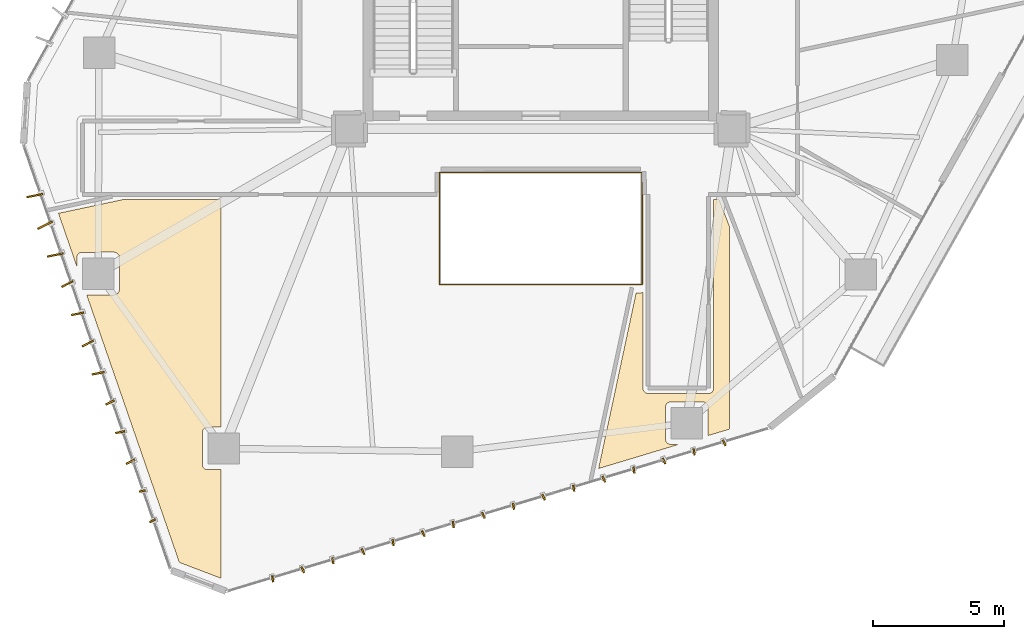
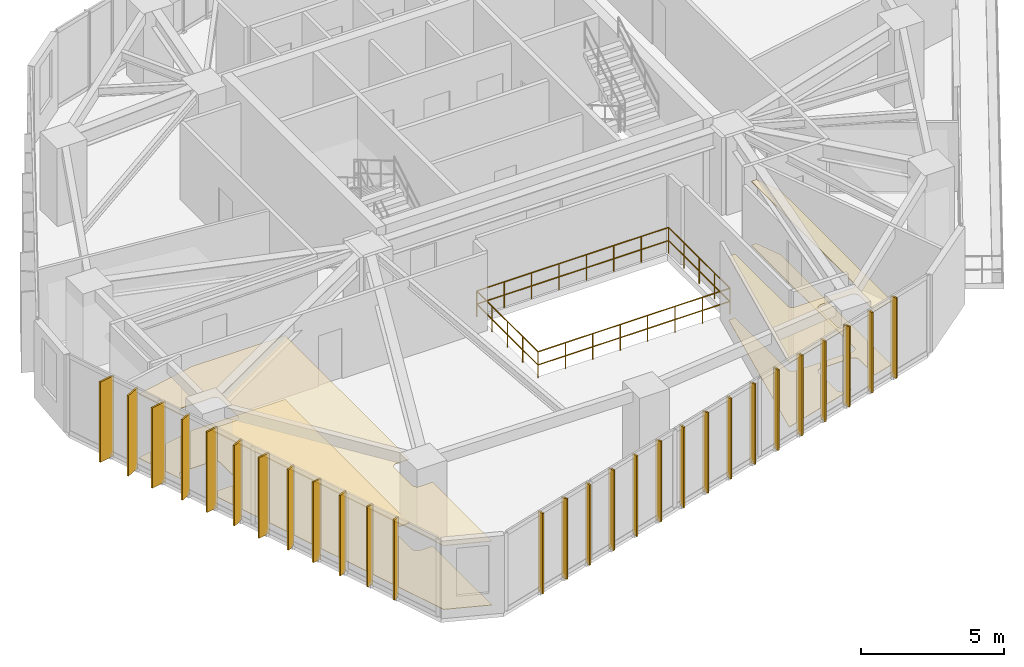
# One storey, part 19 of 21: 28 shading devices, 4 coverings, 4 railings.
"""IFC4 building model written with IfcOpenShell, lengths in metres."""

from ifc_helpers import new_model, si_unit, direction, frame, origin, origin_2d, place, context, subcontext, project, spatial, polyline, rectangle, circle, outline, extrude, source, transform, mapped, material, layer, layer_set, type_object, type_shapes, element, save


model = new_model("IFC4")

# Units and contexts
model_context = context("Model", 3, precision=1e-05, world=origin(), true_north=direction((0.0, 1.0)))
body_context = subcontext(model_context, "Body", "Model", "MODEL_VIEW")
ifc_project = project(units=[si_unit("LENGTHUNIT", "METRE"), si_unit("AREAUNIT", "SQUARE_METRE"), si_unit("VOLUMEUNIT", "CUBIC_METRE"), si_unit("PLANEANGLEUNIT", "RADIAN"), si_unit("MASSUNIT", "GRAM", prefix="KILO")], contexts=[model_context])

# Site, building, storey
site_placement = place(None, origin())
site = spatial("IfcSite", under=ifc_project, at=site_placement, CompositionType="ELEMENT")
building_placement = place(site_placement, origin())
building = spatial("IfcBuilding", under=site, at=building_placement, Name="Talar Marvaseh", CompositionType="ELEMENT")
storey_placement = place(building_placement, frame((0.0, 0.0, 139.800048828125)))
storey = spatial("IfcBuildingStorey", under=building, at=storey_placement, Name="L36", CompositionType="ELEMENT", Elevation=139.800048828125)

# Railings
ifc_material_1 = material(Name="Tempered Clear Glass", Category="glass")
railing_type = type_object("IfcRailingType", Name="Interior Atrium Edge Balustrade 1120", PredefinedType="BALUSTRADE", material=ifc_material_1)
railing_1_placement = place(storey_placement, frame((22.1298828125, 19.561279296875, 0.0)))
element("IfcRailing", 1, at=railing_1_placement, inside=storey, type_object=railing_type, Name="L36 Internal Daylight Atrium Balustrade 1", PredefinedType="BALUSTRADE", context=body_context, shape_type="SweptSolid", body=[
    extrude(circle(Radius=0.02392578125, at=origin_2d()), frame((0.0, 0.0, 1.09619140625), z_axis=(1.0, 0.0, 0.0), x_axis=(0.0, 1.0, 0.0)), (0.0, 0.0, 1.0), 7.740234375),
    extrude(circle(Radius=0.02392578125, at=origin_2d()), frame((0.0, 0.0, 0.5361328125), z_axis=(1.0, 0.0, 0.0), x_axis=(0.0, 1.0, 0.0)), (0.0, 0.0, 1.0), 7.740234375),
    extrude(circle(Radius=0.02099609375, at=origin_2d()), origin(), (0.0, 0.0, 1.0), 1.072021484375),
    extrude(circle(Radius=0.02099609375, at=origin_2d()), frame((1.105712890625, 0.0, 0.0)), (0.0, 0.0, 1.0), 1.072021484375),
    extrude(circle(Radius=0.02099609375, at=origin_2d()), frame((2.21142578125, 0.0, 0.0)), (0.0, 0.0, 1.0), 1.072021484375),
    extrude(circle(Radius=0.02099609375, at=origin_2d()), frame((3.317138671875, 0.0, 0.0)), (0.0, 0.0, 1.0), 1.072021484375),
    extrude(circle(Radius=0.02099609375, at=origin_2d()), frame((4.423095703125, 0.0, 0.0)), (0.0, 0.0, 1.0), 1.072021484375),
    extrude(circle(Radius=0.02099609375, at=origin_2d()), frame((5.52880859375, 0.0, 0.0)), (0.0, 0.0, 1.0), 1.072021484375),
    extrude(circle(Radius=0.02099609375, at=origin_2d()), frame((6.634521484375, 0.0, 0.0)), (0.0, 0.0, 1.0), 1.072021484375),
    extrude(circle(Radius=0.02099609375, at=origin_2d()), frame((7.740234375, 0.0, 0.0)), (0.0, 0.0, 1.0), 1.072021484375),
])
railing_2_placement = place(storey_placement, frame((29.8701171875, 19.561279296875, 0.0)))
element("IfcRailing", 2, at=railing_2_placement, inside=storey, type_object=railing_type, Name="L36 Internal Daylight Atrium Balustrade 2", PredefinedType="BALUSTRADE", context=body_context, shape_type="SweptSolid", body=[
    extrude(circle(Radius=0.02392578125, at=origin_2d()), frame((0.0, 0.0, 1.09619140625), z_axis=(0.0, 1.0, 0.0), x_axis=(-1.0, 0.0, 0.0)), (0.0, 0.0, 1.0), 4.27734375),
    extrude(circle(Radius=0.02392578125, at=origin_2d()), frame((0.0, 0.0, 0.5361328125), z_axis=(0.0, 1.0, 0.0), x_axis=(-1.0, 0.0, 0.0)), (0.0, 0.0, 1.0), 4.27734375),
    extrude(circle(Radius=0.02099609375, at=origin_2d()), origin(), (0.0, 0.0, 1.0), 1.072021484375),
    extrude(circle(Radius=0.02099609375, at=origin_2d()), frame((0.0, 1.0693359375, 0.0)), (0.0, 0.0, 1.0), 1.072021484375),
    extrude(circle(Radius=0.02099609375, at=origin_2d()), frame((0.0, 2.138671875, 0.0)), (0.0, 0.0, 1.0), 1.072021484375),
    extrude(circle(Radius=0.02099609375, at=origin_2d()), frame((0.0, 3.2080078125, 0.0)), (0.0, 0.0, 1.0), 1.072021484375),
    extrude(circle(Radius=0.02099609375, at=origin_2d()), frame((0.0, 4.27734375, 0.0)), (0.0, 0.0, 1.0), 1.072021484375),
])
railing_3_placement = place(storey_placement, frame((29.8701171875, 23.838623046875, 0.0)))
element("IfcRailing", 3, at=railing_3_placement, inside=storey, type_object=railing_type, Name="L36 Internal Daylight Atrium Balustrade 3", PredefinedType="BALUSTRADE", context=body_context, shape_type="SweptSolid", body=[
    extrude(circle(Radius=0.02392578125, at=origin_2d()), frame((0.0, 0.0, 1.09619140625), z_axis=(-1.0, 0.0, 0.0), x_axis=(0.0, -1.0, 0.0)), (0.0, 0.0, 1.0), 7.740234375),
    extrude(circle(Radius=0.02392578125, at=origin_2d()), frame((0.0, 0.0, 0.5361328125), z_axis=(-1.0, 0.0, 0.0), x_axis=(0.0, -1.0, 0.0)), (0.0, 0.0, 1.0), 7.740234375),
    extrude(circle(Radius=0.02099609375, at=origin_2d()), origin(), (0.0, 0.0, 1.0), 1.072021484375),
    extrude(circle(Radius=0.02099609375, at=origin_2d()), frame((-1.105712890625, 0.0, 0.0)), (0.0, 0.0, 1.0), 1.072021484375),
    extrude(circle(Radius=0.02099609375, at=origin_2d()), frame((-2.21142578125, 0.0, 0.0)), (0.0, 0.0, 1.0), 1.072021484375),
    extrude(circle(Radius=0.02099609375, at=origin_2d()), frame((-3.317138671875, 0.0, 0.0)), (0.0, 0.0, 1.0), 1.072021484375),
    extrude(circle(Radius=0.02099609375, at=origin_2d()), frame((-4.423095703125, 0.0, 0.0)), (0.0, 0.0, 1.0), 1.072021484375),
    extrude(circle(Radius=0.02099609375, at=origin_2d()), frame((-5.52880859375, 0.0, 0.0)), (0.0, 0.0, 1.0), 1.072021484375),
    extrude(circle(Radius=0.02099609375, at=origin_2d()), frame((-6.634521484375, 0.0, 0.0)), (0.0, 0.0, 1.0), 1.072021484375),
    extrude(circle(Radius=0.02099609375, at=origin_2d()), frame((-7.740234375, 0.0, 0.0)), (0.0, 0.0, 1.0), 1.072021484375),
])
railing_4_placement = place(storey_placement, frame((22.1298828125, 23.838623046875, 0.0)))
element("IfcRailing", 4, at=railing_4_placement, inside=storey, type_object=railing_type, Name="L36 Internal Daylight Atrium Balustrade 4", PredefinedType="BALUSTRADE", context=body_context, shape_type="SweptSolid", body=[
    extrude(circle(Radius=0.02392578125, at=origin_2d()), frame((0.0, 0.0, 1.09619140625), z_axis=(0.0, -1.0, 0.0), x_axis=(1.0, 0.0, 0.0)), (0.0, 0.0, 1.0), 4.27734375),
    extrude(circle(Radius=0.02392578125, at=origin_2d()), frame((0.0, 0.0, 0.5361328125), z_axis=(0.0, -1.0, 0.0), x_axis=(1.0, 0.0, 0.0)), (0.0, 0.0, 1.0), 4.27734375),
    extrude(circle(Radius=0.02099609375, at=origin_2d()), origin(), (0.0, 0.0, 1.0), 1.072021484375),
    extrude(circle(Radius=0.02099609375, at=origin_2d()), frame((0.0, -1.0693359375, 0.0)), (0.0, 0.0, 1.0), 1.072021484375),
    extrude(circle(Radius=0.02099609375, at=origin_2d()), frame((0.0, -2.138671875, 0.0)), (0.0, 0.0, 1.0), 1.072021484375),
    extrude(circle(Radius=0.02099609375, at=origin_2d()), frame((0.0, -3.2080078125, 0.0)), (0.0, 0.0, 1.0), 1.072021484375),
    extrude(circle(Radius=0.02099609375, at=origin_2d()), frame((0.0, -4.27734375, 0.0)), (0.0, 0.0, 1.0), 1.072021484375),
])

# Coverings
ifc_material_2 = material(Name="Mineral Fibre Acoustic Ceiling")
ifc_layer_1 = layer(ifc_material_2, 0.02490234375)
ifc_layer_set_1 = layer_set([ifc_layer_1], Name="Mineral Fibre Acoustic Ceiling")
covering_type_1 = type_object("IfcCoveringType", Name="Perforated Mineral Fibre Acoustic Suspended Ceiling", PredefinedType="CEILING", material=ifc_layer_set_1)
covering_1_placement = place(storey_placement, frame((0.0, 0.0, 2.719970703125)))
element("IfcCovering", 5, at=covering_1_placement, inside=storey, type_object=covering_type_1, Name="L36 Rare Books Archive Room Acoustic Ceiling", PredefinedType="CEILING", context=body_context, shape_type="SweptSolid", body=[
    extrude(outline(polyline([(9.731201171875, 19.16748046875), (9.75048828125, 19.170166015625), (9.76953125, 19.175048828125), (9.7880859375, 19.181640625), (9.8056640625, 19.18994140625), (9.822509765625, 19.199951171875), (9.838134765625, 19.211669921875), (9.852783203125, 19.224609375), (9.865966796875, 19.2392578125), (9.877685546875, 19.2548828125), (9.8876953125, 19.271728515625), (9.896240234375, 19.289306640625), (9.90283203125, 19.307861328125), (9.90771484375, 19.326904296875), (9.91064453125, 19.34619140625), (9.91162109375, 19.36572265625), (9.916015625, 20.577880859375), (9.9150390625, 20.596435546875), (9.91259765625, 20.61474609375), (9.908203125, 20.633056640625), (9.90234375, 20.650634765625), (9.89501953125, 20.667724609375), (9.885986328125, 20.683837890625), (9.875244140625, 20.69921875), (9.86328125, 20.713623046875), (9.85009765625, 20.726806640625), (9.835205078125, 20.740234375), (9.821044921875, 20.751953125), (9.8056640625, 20.762451171875), (9.78955078125, 20.771240234375), (9.772705078125, 20.77880859375), (9.755126953125, 20.78466796875), (9.737060546875, 20.788818359375), (9.71875, 20.791259765625), (9.7001953125, 20.7919921875), (8.48974609375, 20.78759765625), (8.47021484375, 20.78662109375), (8.45068359375, 20.78369140625), (8.431884765625, 20.77880859375), (8.413330078125, 20.772216796875), (8.395751953125, 20.763671875), (8.37890625, 20.753662109375), (8.36328125, 20.741943359375), (8.3486328125, 20.728759765625), (8.335693359375, 20.714111328125), (8.323974609375, 20.698486328125), (8.31396484375, 20.681640625), (8.3056640625, 20.6640625), (8.299072265625, 20.6455078125), (8.294189453125, 20.62646484375), (8.29150390625, 20.607177734375), (8.290283203125, 20.587646484375), (8.290283203125, 20.248046875), (7.588134765625, 22.276611328125), (10.05029296875, 22.800048828125), (13.800048828125, 22.800048828125), (13.800048828125, 14.111572265625), (13.27978515625, 14.109619140625), (13.260009765625, 14.108642578125), (13.24072265625, 14.105712890625), (13.2216796875, 14.100830078125), (13.203369140625, 14.09423828125), (13.185791015625, 14.085693359375), (13.1689453125, 14.07568359375), (13.1533203125, 14.06396484375), (13.138671875, 14.05078125), (13.12548828125, 14.0361328125), (13.114013671875, 14.0205078125), (13.10400390625, 14.003662109375), (13.095703125, 13.986083984375), (13.089111328125, 13.967529296875), (13.084228515625, 13.948486328125), (13.081298828125, 13.92919921875), (13.080322265625, 13.90966796875), (13.080322265625, 12.6884765625), (13.081298828125, 12.668701171875), (13.084228515625, 12.6494140625), (13.089111328125, 12.63037109375), (13.095703125, 12.61181640625), (13.10400390625, 12.593994140625), (13.114013671875, 12.577392578125), (13.125732421875, 12.5615234375), (13.138916015625, 12.547119140625), (13.153564453125, 12.53369140625), (13.169189453125, 12.522216796875), (13.18603515625, 12.511962890625), (13.203857421875, 12.503662109375), (13.222412109375, 12.4970703125), (13.241455078125, 12.4921875), (13.2607421875, 12.489501953125), (13.280517578125, 12.48828125), (13.800048828125, 12.48828125), (13.800048828125, 8.34326171875), (12.201416015625, 8.951416015625), (8.664794921875, 19.16650390625), (9.711669921875, 19.16650390625), (9.731201171875, 19.16748046875)])), origin(), (0.0, 0.0, 1.0), 0.02490234375),
])
covering_2_placement = place(storey_placement, frame((0.0, 0.0, 2.719970703125)))
element("IfcCovering", 6, at=covering_2_placement, inside=storey, type_object=covering_type_1, Name="L36 Archival Research Office Acoustic Ceiling", PredefinedType="CEILING", context=body_context, shape_type="SweptSolid", body=[
    extrude(outline(polyline([(29.800048828125, 19.239990234375), (29.814697265625, 19.240478515625), (29.829345703125, 19.2421875), (29.875732421875, 19.2490234375), (29.89501953125, 19.2529296875), (29.89990234375, 19.25439453125), (29.89990234375, 15.60009765625), (29.90087890625, 15.580322265625), (29.90380859375, 15.56103515625), (29.90869140625, 15.5419921875), (29.915283203125, 15.5234375), (29.923583984375, 15.505615234375), (29.93359375, 15.489013671875), (29.9453125, 15.47314453125), (29.95849609375, 15.45849609375), (29.97314453125, 15.4453125), (29.989013671875, 15.43359375), (30.005615234375, 15.423583984375), (30.0234375, 15.415283203125), (30.0419921875, 15.40869140625), (30.06103515625, 15.40380859375), (30.080322265625, 15.40087890625), (30.10009765625, 15.39990234375), (32.39990234375, 15.39990234375), (32.419677734375, 15.40087890625), (32.43896484375, 15.40380859375), (32.4580078125, 15.40869140625), (32.4765625, 15.415283203125), (32.494384765625, 15.423583984375), (32.510986328125, 15.43359375), (32.52685546875, 15.4453125), (32.54150390625, 15.45849609375), (32.5546875, 15.47314453125), (32.56640625, 15.489013671875), (32.576416015625, 15.505615234375), (32.584716796875, 15.5234375), (32.59130859375, 15.5419921875), (32.59619140625, 15.56103515625), (32.59912109375, 15.580322265625), (32.60009765625, 15.60009765625), (32.60009765625, 22.800048828125), (32.8046875, 22.800048828125), (33.199951171875, 21.77880859375), (33.199951171875, 14.03759765625), (32.381103515625, 13.791015625), (32.385009765625, 14.868896484375), (32.384033203125, 14.887451171875), (32.381591796875, 14.90576171875), (32.377197265625, 14.924072265625), (32.371337890625, 14.941650390625), (32.364013671875, 14.958740234375), (32.35498046875, 14.974853515625), (32.34423828125, 14.990234375), (32.33251953125, 15.004638671875), (32.319091796875, 15.017578125), (32.30419921875, 15.03125), (32.2900390625, 15.04296875), (32.274658203125, 15.053466796875), (32.258544921875, 15.062255859375), (32.24169921875, 15.069580078125), (32.22412109375, 15.07568359375), (32.2060546875, 15.07958984375), (32.187744140625, 15.082275390625), (32.169189453125, 15.0830078125), (30.958740234375, 15.07861328125), (30.939208984375, 15.07763671875), (30.919921875, 15.07470703125), (30.90087890625, 15.06982421875), (30.88232421875, 15.063232421875), (30.86474609375, 15.0546875), (30.847900390625, 15.044677734375), (30.832275390625, 15.032958984375), (30.817626953125, 15.019775390625), (30.8046875, 15.005126953125), (30.79296875, 14.989501953125), (30.782958984375, 14.97265625), (30.774658203125, 14.955078125), (30.76806640625, 14.9365234375), (30.76318359375, 14.91748046875), (30.760498046875, 14.898193359375), (30.759521484375, 14.878662109375), (30.759521484375, 13.657470703125), (30.760498046875, 13.6376953125), (30.76318359375, 13.618408203125), (30.76806640625, 13.599365234375), (30.774658203125, 13.580810546875), (30.782958984375, 13.56298828125), (30.793212890625, 13.54638671875), (30.8046875, 13.530517578125), (30.818115234375, 13.51611328125), (30.83251953125, 13.502685546875), (30.848388671875, 13.4912109375), (30.864990234375, 13.48095703125), (30.8828125, 13.47265625), (30.9013671875, 13.466064453125), (30.92041015625, 13.461181640625), (30.939697265625, 13.45849609375), (30.95947265625, 13.45751953125), (31.273193359375, 13.45751953125), (28.205810546875, 12.53369140625), (29.63916015625, 19.239990234375), (29.800048828125, 19.239990234375)])), origin(), (0.0, 0.0, 1.0), 0.02490234375),
])
ifc_material_3 = material(Name="Porcelain Stoneware Tile", Category="masonry")
ifc_layer_2 = layer(ifc_material_3, 0.02001953125)
ifc_layer_set_2 = layer_set([ifc_layer_2], Name="Porcelain Stoneware Tile")
covering_type_2 = type_object("IfcCoveringType", Name="Polished Porcelain Stoneware Gallery Flooring", PredefinedType="FLOORING", material=ifc_layer_set_2)
covering_3_placement = place(storey_placement, origin())
element("IfcCovering", 7, at=covering_3_placement, inside=storey, type_object=covering_type_2, Name="L36 Rare Books Archive Room Flooring", PredefinedType="FLOORING", context=body_context, shape_type="SweptSolid", body=[
    extrude(outline(polyline([(9.731201171875, 19.16748046875), (9.75048828125, 19.170166015625), (9.76953125, 19.175048828125), (9.7880859375, 19.181640625), (9.8056640625, 19.18994140625), (9.822509765625, 19.199951171875), (9.838134765625, 19.211669921875), (9.852783203125, 19.224609375), (9.865966796875, 19.2392578125), (9.877685546875, 19.2548828125), (9.8876953125, 19.271728515625), (9.896240234375, 19.289306640625), (9.90283203125, 19.307861328125), (9.90771484375, 19.326904296875), (9.91064453125, 19.34619140625), (9.91162109375, 19.36572265625), (9.916015625, 20.577880859375), (9.9150390625, 20.596435546875), (9.91259765625, 20.61474609375), (9.908203125, 20.633056640625), (9.90234375, 20.650634765625), (9.89501953125, 20.667724609375), (9.885986328125, 20.683837890625), (9.875244140625, 20.69921875), (9.86328125, 20.713623046875), (9.85009765625, 20.726806640625), (9.835205078125, 20.740234375), (9.821044921875, 20.751953125), (9.8056640625, 20.762451171875), (9.78955078125, 20.771240234375), (9.772705078125, 20.77880859375), (9.755126953125, 20.78466796875), (9.737060546875, 20.788818359375), (9.71875, 20.791259765625), (9.7001953125, 20.7919921875), (8.48974609375, 20.78759765625), (8.47021484375, 20.78662109375), (8.45068359375, 20.78369140625), (8.431884765625, 20.77880859375), (8.413330078125, 20.772216796875), (8.395751953125, 20.763671875), (8.37890625, 20.753662109375), (8.36328125, 20.741943359375), (8.3486328125, 20.728759765625), (8.335693359375, 20.714111328125), (8.323974609375, 20.698486328125), (8.31396484375, 20.681640625), (8.3056640625, 20.6640625), (8.299072265625, 20.6455078125), (8.294189453125, 20.62646484375), (8.29150390625, 20.607177734375), (8.290283203125, 20.587646484375), (8.290283203125, 20.248046875), (7.588134765625, 22.276611328125), (10.05029296875, 22.800048828125), (13.800048828125, 22.800048828125), (13.800048828125, 14.111572265625), (13.27978515625, 14.109619140625), (13.260009765625, 14.108642578125), (13.24072265625, 14.105712890625), (13.2216796875, 14.100830078125), (13.203369140625, 14.09423828125), (13.185791015625, 14.085693359375), (13.1689453125, 14.07568359375), (13.1533203125, 14.06396484375), (13.138671875, 14.05078125), (13.12548828125, 14.0361328125), (13.114013671875, 14.0205078125), (13.10400390625, 14.003662109375), (13.095703125, 13.986083984375), (13.089111328125, 13.967529296875), (13.084228515625, 13.948486328125), (13.081298828125, 13.92919921875), (13.080322265625, 13.90966796875), (13.080322265625, 12.6884765625), (13.081298828125, 12.668701171875), (13.084228515625, 12.6494140625), (13.089111328125, 12.63037109375), (13.095703125, 12.61181640625), (13.10400390625, 12.593994140625), (13.114013671875, 12.577392578125), (13.125732421875, 12.5615234375), (13.138916015625, 12.547119140625), (13.153564453125, 12.53369140625), (13.169189453125, 12.522216796875), (13.18603515625, 12.511962890625), (13.203857421875, 12.503662109375), (13.222412109375, 12.4970703125), (13.241455078125, 12.4921875), (13.2607421875, 12.489501953125), (13.280517578125, 12.48828125), (13.800048828125, 12.48828125), (13.800048828125, 8.34326171875), (12.201416015625, 8.951416015625), (8.664794921875, 19.16650390625), (9.711669921875, 19.16650390625), (9.731201171875, 19.16748046875)])), origin(), (0.0, 0.0, 1.0), 0.02001953125),
])
covering_4_placement = place(storey_placement, origin())
element("IfcCovering", 8, at=covering_4_placement, inside=storey, type_object=covering_type_2, Name="L36 Archival Research Office Flooring", PredefinedType="FLOORING", context=body_context, shape_type="SweptSolid", body=[
    extrude(outline(polyline([(29.800048828125, 19.239990234375), (29.814697265625, 19.240478515625), (29.829345703125, 19.2421875), (29.875732421875, 19.2490234375), (29.89501953125, 19.2529296875), (29.89990234375, 19.25439453125), (29.89990234375, 15.60009765625), (29.90087890625, 15.580322265625), (29.90380859375, 15.56103515625), (29.90869140625, 15.5419921875), (29.915283203125, 15.5234375), (29.923583984375, 15.505615234375), (29.93359375, 15.489013671875), (29.9453125, 15.47314453125), (29.95849609375, 15.45849609375), (29.97314453125, 15.4453125), (29.989013671875, 15.43359375), (30.005615234375, 15.423583984375), (30.0234375, 15.415283203125), (30.0419921875, 15.40869140625), (30.06103515625, 15.40380859375), (30.080322265625, 15.40087890625), (30.10009765625, 15.39990234375), (32.39990234375, 15.39990234375), (32.419677734375, 15.40087890625), (32.43896484375, 15.40380859375), (32.4580078125, 15.40869140625), (32.4765625, 15.415283203125), (32.494384765625, 15.423583984375), (32.510986328125, 15.43359375), (32.52685546875, 15.4453125), (32.54150390625, 15.45849609375), (32.5546875, 15.47314453125), (32.56640625, 15.489013671875), (32.576416015625, 15.505615234375), (32.584716796875, 15.5234375), (32.59130859375, 15.5419921875), (32.59619140625, 15.56103515625), (32.59912109375, 15.580322265625), (32.60009765625, 15.60009765625), (32.60009765625, 22.800048828125), (32.8046875, 22.800048828125), (33.199951171875, 21.77880859375), (33.199951171875, 14.03759765625), (32.381103515625, 13.791015625), (32.385009765625, 14.868896484375), (32.384033203125, 14.887451171875), (32.381591796875, 14.90576171875), (32.377197265625, 14.924072265625), (32.371337890625, 14.941650390625), (32.364013671875, 14.958740234375), (32.35498046875, 14.974853515625), (32.34423828125, 14.990234375), (32.33251953125, 15.004638671875), (32.319091796875, 15.017578125), (32.30419921875, 15.03125), (32.2900390625, 15.04296875), (32.274658203125, 15.053466796875), (32.258544921875, 15.062255859375), (32.24169921875, 15.069580078125), (32.22412109375, 15.07568359375), (32.2060546875, 15.07958984375), (32.187744140625, 15.082275390625), (32.169189453125, 15.0830078125), (30.958740234375, 15.07861328125), (30.939208984375, 15.07763671875), (30.919921875, 15.07470703125), (30.90087890625, 15.06982421875), (30.88232421875, 15.063232421875), (30.86474609375, 15.0546875), (30.847900390625, 15.044677734375), (30.832275390625, 15.032958984375), (30.817626953125, 15.019775390625), (30.8046875, 15.005126953125), (30.79296875, 14.989501953125), (30.782958984375, 14.97265625), (30.774658203125, 14.955078125), (30.76806640625, 14.9365234375), (30.76318359375, 14.91748046875), (30.760498046875, 14.898193359375), (30.759521484375, 14.878662109375), (30.759521484375, 13.657470703125), (30.760498046875, 13.6376953125), (30.76318359375, 13.618408203125), (30.76806640625, 13.599365234375), (30.774658203125, 13.580810546875), (30.782958984375, 13.56298828125), (30.793212890625, 13.54638671875), (30.8046875, 13.530517578125), (30.818115234375, 13.51611328125), (30.83251953125, 13.502685546875), (30.848388671875, 13.4912109375), (30.864990234375, 13.48095703125), (30.8828125, 13.47265625), (30.9013671875, 13.466064453125), (30.92041015625, 13.461181640625), (30.939697265625, 13.45849609375), (30.95947265625, 13.45751953125), (31.273193359375, 13.45751953125), (28.205810546875, 12.53369140625), (29.63916015625, 19.239990234375), (29.800048828125, 19.239990234375)])), origin(), (0.0, 0.0, 1.0), 0.02001953125),
])

# Shading devices
ifc_material_4 = material(Name="Anodised Champagne Bronze Aluminium", Category="aluminium")
ifc_layer_3 = layer(ifc_material_4, 0.06494140625)
ifc_layer_set_3 = layer_set([ifc_layer_3], Name="Anodised Champagne Bronze Aluminium")
shading_device_type_1 = type_object("IfcShadingDeviceType", Name="Sawtooth Champagne Bronze Vertical Fin 240", PredefinedType="USERDEFINED", material=ifc_layer_set_3)
shared_shape_1 = source(origin(), body_context, "Body", "SweptSolid", [
    extrude(rectangle(XDim=0.239990234375, YDim=0.06494140625, at=origin_2d()), origin(), (0.0, 0.0, 1.0), 3.429931640625),
])
type_shapes(shading_device_type_1, [shared_shape_1])
for number, where, z_axis, x_axis, name in (
    (9, (11.179931640625, 10.54150390625, -0.1201171875), (0.0, 0.0, 1.0), (-0.890212804611, -0.455544907234, 0.0), "L36 Sawtooth Vertical Solar Fin"),
    (10, (10.787353515625, 11.675537109375, -0.1201171875), (0.0, 0.0, 1.0), (-0.981292663992, -0.192521966526, 0.0), "L36 Sawtooth Vertical Solar Fin"),
    (11, (33.001708984375, 13.51318359375, -0.1201171875), (0.0, 0.0, 1.0), (0.418818232045, -0.908070090085, 0.0), "L36 Sawtooth Vertical Solar Fin"),
    (12, (31.8525390625, 13.167236328125, -0.1201171875), (0.0, 0.0, 1.0), (0.152295885498, -0.988334944875, 0.0), "L36 Sawtooth Vertical Solar Fin"),
    (13, (30.70361328125, 12.8212890625, -0.1201171875), (0.0, 0.0, 1.0), (0.418818232045, -0.908070090085, 0.0), "L36 Sawtooth Vertical Solar Fin"),
    (14, (29.5546875, 12.47509765625, -0.1201171875), (0.0, 0.0, 1.0), (0.152295885498, -0.988334944875, 0.0), "L36 Sawtooth Vertical Solar Fin"),
    (15, (28.405517578125, 12.129150390625, -0.1201171875), (0.0, 0.0, 1.0), (0.418818232045, -0.908070090085, 0.0), "L36 Sawtooth Vertical Solar Fin"),
    (16, (27.256591796875, 11.783203125, -0.1201171875), (0.0, 0.0, 1.0), (0.152295885498, -0.988334944875, 0.0), "L36 Sawtooth Vertical Solar Fin"),
    (17, (26.107421875, 11.43701171875, -0.1201171875), (0.0, 0.0, 1.0), (0.418818232045, -0.908070090085, 0.0), "L36 Sawtooth Vertical Solar Fin"),
    (18, (24.95849609375, 11.091064453125, -0.1201171875), (0.0, 0.0, 1.0), (0.152295885498, -0.988334944875, 0.0), "L36 Sawtooth Vertical Solar Fin"),
    (19, (23.809326171875, 10.7451171875, -0.1201171875), (0.0, 0.0, 1.0), (0.418818232045, -0.908070090085, 0.0), "L36 Sawtooth Vertical Solar Fin"),
    (20, (22.660400390625, 10.399169921875, -0.1201171875), (0.0, 0.0, 1.0), (0.152295885498, -0.988334944875, 0.0), "L36 Sawtooth Vertical Solar Fin"),
    (21, (21.51123046875, 10.052978515625, -0.1201171875), (0.0, 0.0, 1.0), (0.418818232045, -0.908070090085, 0.0), "L36 Sawtooth Vertical Solar Fin"),
    (22, (20.3623046875, 9.70703125, -0.1201171875), (0.0, 0.0, 1.0), (0.152295885498, -0.988334944875, 0.0), "L36 Sawtooth Vertical Solar Fin"),
    (23, (19.21337890625, 9.361083984375, -0.1201171875), (0.0, 0.0, 1.0), (0.418818232045, -0.908070090085, 0.0), "L36 Sawtooth Vertical Solar Fin"),
    (24, (18.064208984375, 9.014892578125, -0.1201171875), (0.0, 0.0, 1.0), (0.152295885498, -0.988334944875, 0.0), "L36 Sawtooth Vertical Solar Fin"),
    (25, (16.915283203125, 8.6689453125, -0.1201171875), (0.0, 0.0, 1.0), (0.418818232045, -0.908070090085, 0.0), "L36 Sawtooth Vertical Solar Fin"),
    (26, (15.76611328125, 8.322998046875, -0.1201171875), (0.0, 0.0, 1.0), (0.152295885498, -0.988334944875, 0.0), "L36 Sawtooth Vertical Solar Fin"),
):
    element("IfcShadingDevice", number, at=place(storey_placement, frame(where, z_axis=z_axis, x_axis=x_axis)), inside=storey, type_object=shading_device_type_1, Name=name, ObjectType="FIN", PredefinedType="USERDEFINED", context=body_context, shape_type="MappedRepresentation", body=[
        mapped(shared_shape_1, transform((0.0, 0.0, 0.0), x_axis=(1.0, 0.0, 0.0), y_axis=(0.0, 1.0, 0.0), z_axis=(0.0, 0.0, 1.0), scale=1.0)),
    ])
ifc_layer_4 = layer(ifc_material_4, 0.06494140625)
ifc_layer_set_4 = layer_set([ifc_layer_4], Name="Anodised Champagne Bronze Aluminium")
shading_device_type_2 = type_object("IfcShadingDeviceType", Name="Sawtooth Champagne Bronze Vertical Fin 360", PredefinedType="USERDEFINED", material=ifc_layer_set_4)
shared_shape_2 = source(origin(), body_context, "Body", "SweptSolid", [
    extrude(rectangle(XDim=0.360107421875, YDim=0.06494140625, at=origin_2d()), origin(), (0.0, 0.0, 1.0), 3.429931640625),
])
type_shapes(shading_device_type_2, [shared_shape_2])
for number, where, z_axis, x_axis, name in (
    (27, (10.338134765625, 12.789794921875, -0.1201171875), (0.0, 0.0, 1.0), (-0.890212804611, -0.455544907234, 0.0), "L36 Sawtooth Vertical Solar Fin"),
    (28, (9.945556640625, 13.923828125, -0.1201171875), (0.0, 0.0, 1.0), (-0.981292663992, -0.192521966526, 0.0), "L36 Sawtooth Vertical Solar Fin"),
    (29, (9.552978515625, 15.057861328125, -0.1201171875), (0.0, 0.0, 1.0), (-0.890212804611, -0.455544907234, 0.0), "L36 Sawtooth Vertical Solar Fin"),
):
    element("IfcShadingDevice", number, at=place(storey_placement, frame(where, z_axis=z_axis, x_axis=x_axis)), inside=storey, type_object=shading_device_type_2, Name=name, ObjectType="FIN", PredefinedType="USERDEFINED", context=body_context, shape_type="MappedRepresentation", body=[
        mapped(shared_shape_2, transform((0.0, 0.0, 0.0), x_axis=(1.0, 0.0, 0.0), y_axis=(0.0, 1.0, 0.0), z_axis=(0.0, 0.0, 1.0), scale=1.0)),
    ])
ifc_layer_5 = layer(ifc_material_4, 0.06494140625)
ifc_layer_set_5 = layer_set([ifc_layer_5], Name="Anodised Champagne Bronze Aluminium")
shading_device_type_3 = type_object("IfcShadingDeviceType", Name="Sawtooth Champagne Bronze Vertical Fin 480", PredefinedType="USERDEFINED", material=ifc_layer_set_5)
shared_shape_3 = source(origin(), body_context, "Body", "SweptSolid", [
    extrude(rectangle(XDim=0.47998046875, YDim=0.06494140625, at=origin_2d()), origin(), (0.0, 0.0, 1.0), 3.429931640625),
])
type_shapes(shading_device_type_3, [shared_shape_3])
for number, where, z_axis, x_axis, name in (
    (30, (9.103759765625, 16.172119140625, -0.1201171875), (0.0, 0.0, 1.0), (-0.981292663992, -0.192521966526, 0.0), "L36 Sawtooth Vertical Solar Fin"),
    (31, (8.711181640625, 17.30615234375, -0.1201171875), (0.0, 0.0, 1.0), (-0.890212804611, -0.455544907234, 0.0), "L36 Sawtooth Vertical Solar Fin"),
    (32, (8.318603515625, 18.440185546875, -0.1201171875), (0.0, 0.0, 1.0), (-0.981292663992, -0.192521966526, 0.0), "L36 Sawtooth Vertical Solar Fin"),
    (33, (7.92578125, 19.573974609375, -0.1201171875), (0.0, 0.0, 1.0), (-0.890212804611, -0.455544907234, 0.0), "L36 Sawtooth Vertical Solar Fin"),
):
    element("IfcShadingDevice", number, at=place(storey_placement, frame(where, z_axis=z_axis, x_axis=x_axis)), inside=storey, type_object=shading_device_type_3, Name=name, ObjectType="FIN", PredefinedType="USERDEFINED", context=body_context, shape_type="MappedRepresentation", body=[
        mapped(shared_shape_3, transform((0.0, 0.0, 0.0), x_axis=(1.0, 0.0, 0.0), y_axis=(0.0, 1.0, 0.0), z_axis=(0.0, 0.0, 1.0), scale=1.0)),
    ])
ifc_layer_6 = layer(ifc_material_4, 0.06494140625)
ifc_layer_set_6 = layer_set([ifc_layer_6], Name="Anodised Champagne Bronze Aluminium")
shading_device_type_4 = type_object("IfcShadingDeviceType", Name="Sawtooth Champagne Bronze Vertical Fin 620", PredefinedType="USERDEFINED", material=ifc_layer_set_6)
shared_shape_4 = source(origin(), body_context, "Body", "SweptSolid", [
    extrude(rectangle(XDim=0.6201171875, YDim=0.06494140625, at=origin_2d()), origin(), (0.0, 0.0, 1.0), 3.429931640625),
])
type_shapes(shading_device_type_4, [shared_shape_4])
for number, where, z_axis, x_axis, name in (
    (34, (7.46728515625, 20.68505859375, -0.1201171875), (0.0, 0.0, 1.0), (-0.981292663992, -0.192521966526, 0.0), "L36 Sawtooth Vertical Solar Fin"),
    (35, (7.07470703125, 21.819091796875, -0.1201171875), (0.0, 0.0, 1.0), (-0.890212804611, -0.455544907234, 0.0), "L36 Sawtooth Vertical Solar Fin"),
    (36, (6.681884765625, 22.952880859375, -0.1201171875), (0.0, 0.0, 1.0), (-0.981292663992, -0.192521966526, 0.0), "L36 Sawtooth Vertical Solar Fin"),
):
    element("IfcShadingDevice", number, at=place(storey_placement, frame(where, z_axis=z_axis, x_axis=x_axis)), inside=storey, type_object=shading_device_type_4, Name=name, ObjectType="FIN", PredefinedType="USERDEFINED", context=body_context, shape_type="MappedRepresentation", body=[
        mapped(shared_shape_4, transform((0.0, 0.0, 0.0), x_axis=(1.0, 0.0, 0.0), y_axis=(0.0, 1.0, 0.0), z_axis=(0.0, 0.0, 1.0), scale=1.0)),
    ])

save(model, "model.ifc")
